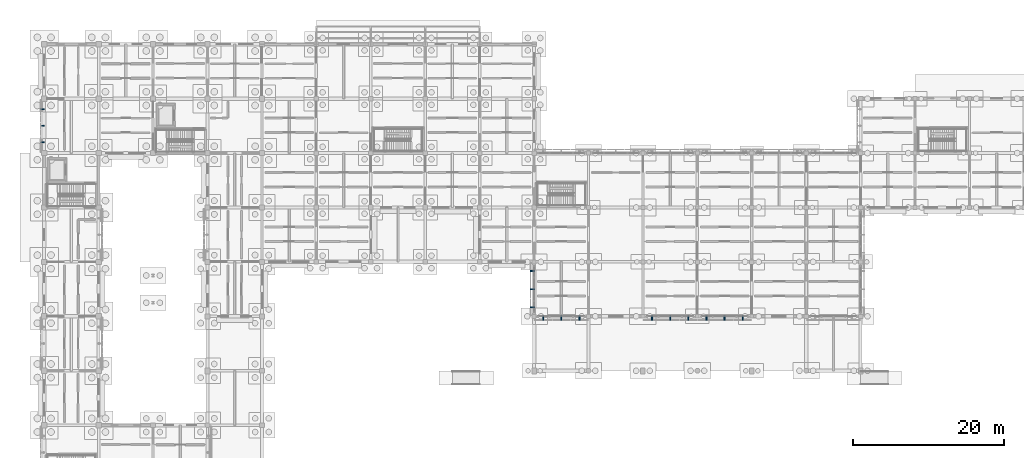
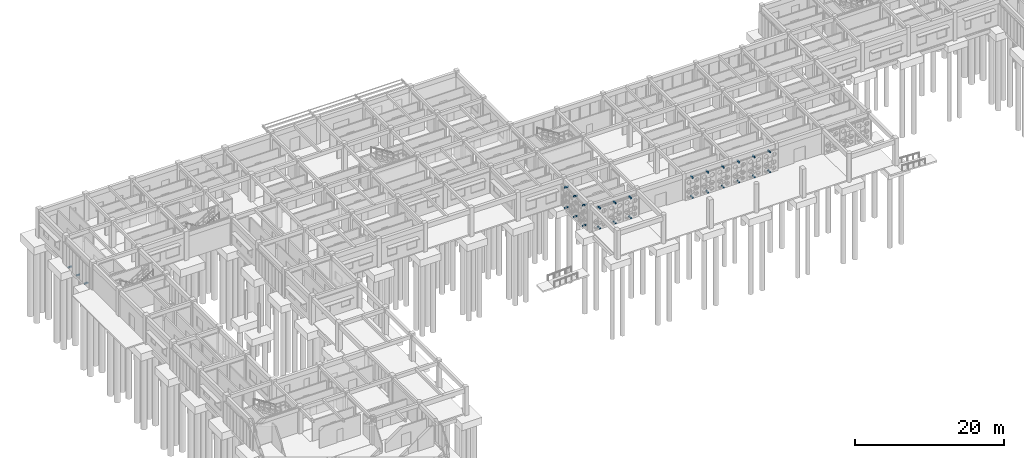
# One storey, part 88 of 111: 27 discrete accessories.
"""IFC4 building model written with IfcOpenShell, lengths in metres."""

import ifcopenshell
import ifcopenshell.guid

model = None  # the IFC model being written
_history = None  # IfcOwnerHistory: only IFC2X3 demands one
_inside = {}  # id of a spatial element -> (the spatial element, [elements in it])
_under = {}  # id of a project, library or spatial element -> (it, [spatial elements below it])
_declared = {}  # id of a project -> (the project, [libraries it declares])
_typed = {}  # id of a type object -> (the type object, [elements of that type])
_made_of = {}  # id of a material, layer set ... -> (it, [elements and type objects made of it])


def new_model(schema):
    """Start an empty IFC model of exactly this schema.

    Asked for "IFC4X3", IfcOpenShell would pick the latest addendum, in which some entities
    have other attributes; the version numbers below select the first issue.
    IFC2X3 requires an IfcOwnerHistory on every rooted entity: one is made here for all.
    """
    global model, _history
    if schema == "IFC4X3":
        model = ifcopenshell.file(schema_version=(4, 3, 0, 0))
    else:
        model = ifcopenshell.file(schema=schema)
    _inside.clear()
    _under.clear()
    _declared.clear()
    _typed.clear()
    _made_of.clear()
    _history = None
    if model.schema == "IFC2X3":
        org = make("IfcOrganization", Name="unknown")
        user = make(
            "IfcPersonAndOrganization",
            ThePerson=make("IfcPerson", FamilyName="unknown"),
            TheOrganization=org,
        )
        app = make(
            "IfcApplication",
            ApplicationDeveloper=org,
            Version="unknown",
            ApplicationFullName="unknown",
            ApplicationIdentifier="unknown",
        )
        _history = make(
            "IfcOwnerHistory",
            OwningUser=user,
            OwningApplication=app,
            ChangeAction="ADDED",
            CreationDate=0,
        )
    return model


def make(cls, **values):
    """One entity of the class cls with the attributes given. An attribute that is None is left unset."""
    return model.create_entity(
        cls, **{name: value for name, value in values.items() if value is not None}
    )


def rooted(cls, **values):
    """An entity with a GlobalId (a new one), such as an element, a storey or a relation."""
    return make(cls, GlobalId=ifcopenshell.guid.new(), OwnerHistory=_history, **values)


def si_unit(unit_type, name, prefix=None):
    """IfcSIUnit, for example si_unit("LENGTHUNIT", "METRE", prefix="MILLI")."""
    return make("IfcSIUnit", UnitType=unit_type, Prefix=prefix, Name=name)


def assignment(units):
    """IfcUnitAssignment: the units of a project."""
    return None if units is None else make("IfcUnitAssignment", Units=units)


def point(xyz):
    """IfcCartesianPoint."""
    return None if xyz is None else make("IfcCartesianPoint", Coordinates=xyz)


def direction(xyz):
    """IfcDirection."""
    return None if xyz is None else make("IfcDirection", DirectionRatios=xyz)


def frame(location, z_axis=None, x_axis=None):
    """IfcAxis2Placement3D, a coordinate frame: its origin and axes. An axis left out is left unset."""
    return make(
        "IfcAxis2Placement3D",
        Location=point(location),
        Axis=direction(z_axis),
        RefDirection=direction(x_axis),
    )


def frame_2d(location, x_axis=None):
    """IfcAxis2Placement2D, a coordinate frame in the plane: its origin and x axis."""
    return make(
        "IfcAxis2Placement2D", Location=point(location), RefDirection=direction(x_axis)
    )


def origin():
    """The frame at (0, 0, 0) with its axes left unset."""
    return frame((0.0, 0.0, 0.0))


def origin_2d():
    """The frame at (0, 0) in the plane with its x axis left unset."""
    return frame_2d((0.0, 0.0))


def place(relative_to, where):
    """IfcLocalPlacement: puts the frame where relative to a parent placement (None: the world)."""
    return make(
        "IfcLocalPlacement", PlacementRelTo=relative_to, RelativePlacement=where
    )


def context(
    kind, dimensions, precision=None, world=None, true_north=None, identifier=None
):
    """IfcGeometricRepresentationContext, for example the 3D "Model" context."""
    return make(
        "IfcGeometricRepresentationContext",
        ContextIdentifier=identifier,
        ContextType=kind,
        CoordinateSpaceDimension=dimensions,
        Precision=precision,
        WorldCoordinateSystem=world,
        TrueNorth=true_north,
    )


def subcontext(parent, identifier, kind, view, scale=None):
    """IfcGeometricRepresentationSubContext, for example "Body" below "Model"."""
    return make(
        "IfcGeometricRepresentationSubContext",
        ContextIdentifier=identifier,
        ContextType=kind,
        ParentContext=parent,
        TargetScale=scale,
        TargetView=view,
    )


def project(units=None, contexts=None):
    """IfcProject with its units and contexts."""
    return rooted(
        "IfcProject",
        Name="project",
        RepresentationContexts=contexts,
        UnitsInContext=assignment(units),
    )


def spatial(cls, under=None, at=None, **own):
    """A site, building, storey or space (cls), placed at a placement, below another one or the project."""
    s = rooted(cls, ObjectPlacement=at, **own)
    if under is not None:
        _under.setdefault(under.id(), (under, []))[1].append(s)
    return s


def profile(cls, at=None, kind="AREA", **sizes):
    """A parametric profile (cls). Its sizes go by their IFC names, for example OverallWidth=200.0."""
    return make(cls, ProfileType=kind, Position=at, **sizes)


def rectangle(**sizes):
    """IfcRectangleProfileDef."""
    return profile("IfcRectangleProfileDef", **sizes)


def extrude(swept, where, along, depth):
    """IfcExtrudedAreaSolid: the profile swept, set in the frame where, extruded along a direction by depth."""
    return make(
        "IfcExtrudedAreaSolid",
        SweptArea=swept,
        Position=where,
        ExtrudedDirection=direction(along),
        Depth=depth,
    )


def shape(context_of_items, identifier, shape_type, items):
    """IfcShapeRepresentation: the items that make up one representation, for example the "Body"."""
    return make(
        "IfcShapeRepresentation",
        ContextOfItems=context_of_items,
        RepresentationIdentifier=identifier,
        RepresentationType=shape_type,
        Items=items,
    )


def material(Name=None, Category=None):
    """IfcMaterial."""
    return make("IfcMaterial", Name=Name, Category=Category)


def made_of(thing, what):
    """Note that an element or type object is made of a material, layer set ...; save() writes the relation."""
    if what is not None:
        _made_of.setdefault(what.id(), (what, []))[1].append(thing)
    return thing


def type_object(cls, material=None, **own):
    """A type object (cls), such as IfcWallType, which elements share."""
    return made_of(rooted(cls, **own), material)


def element(
    cls,
    number,
    at=None,
    inside=None,
    cuts=None,
    type_object=None,
    material=None,
    context=None,
    identifier="Body",
    shape_type=None,
    held_by="IfcProductDefinitionShape",
    body=None,
    shapes=None,
    **own,
):
    """One element of the class cls, such as IfcWall. Its Tag is "e" and its number.

    at: its placement. inside: the storey or other place that contains it. cuts: it is an
    opening in that element (IfcRelVoidsElement). A single representation is given by context,
    identifier, shape_type and body (its items); several are given by shapes. held_by: the class
    of the entity that holds the representations. save() writes the other relations.
    """
    e = rooted(cls, Tag="e%d" % number, ObjectPlacement=at, **own)
    if body is not None:
        shapes = [shape(context, identifier, shape_type, body)]
    if shapes is not None:
        e.Representation = make(held_by, Representations=shapes)
    if inside is not None:
        _inside.setdefault(inside.id(), (inside, []))[1].append(e)
    if cuts is not None:
        rooted(
            "IfcRelVoidsElement", RelatingBuildingElement=cuts, RelatedOpeningElement=e
        )
    if type_object is not None:
        _typed.setdefault(type_object.id(), (type_object, []))[1].append(e)
    return made_of(e, material)


def aggregate(whole, parts):
    """IfcRelAggregates: a whole, such as a stair, and the parts it consists of."""
    return rooted("IfcRelAggregates", RelatingObject=whole, RelatedObjects=parts)


def save(model, path):
    """Write the relations noted so far, then the file.

    IfcRelAggregates (storeys below a building ...), IfcRelContainedInSpatialStructure (elements
    in a storey), IfcRelDefinesByType, IfcRelAssociatesMaterial and IfcRelDeclares: one each for
    every whole, place, type object, material and project.
    """
    for whole, parts in _under.values():
        aggregate(whole, parts)
    for where, things in _inside.values():
        rooted(
            "IfcRelContainedInSpatialStructure",
            RelatedElements=things,
            RelatingStructure=where,
        )
    for kind, things in _typed.values():
        rooted("IfcRelDefinesByType", RelatedObjects=things, RelatingType=kind)
    for what, things in _made_of.values():
        rooted("IfcRelAssociatesMaterial", RelatedObjects=things, RelatingMaterial=what)
    for by, libraries in _declared.values():
        rooted("IfcRelDeclares", RelatingContext=by, RelatedDefinitions=libraries)
    model.write(path)


model = new_model("IFC4")

# Units and contexts
model_context = context("Model", 3, precision=1e-05, world=origin(), true_north=direction((0.0, 1.0)))
body_context = subcontext(model_context, "Body", "Model", "MODEL_VIEW")
ifc_project = project(units=[si_unit("LENGTHUNIT", "METRE"), si_unit("AREAUNIT", "SQUARE_METRE"), si_unit("VOLUMEUNIT", "CUBIC_METRE"), si_unit("PLANEANGLEUNIT", "RADIAN"), si_unit("MASSUNIT", "GRAM", prefix="KILO")], contexts=[model_context])

# Site, building, storey
site_placement = place(None, origin())
site = spatial("IfcSite", under=ifc_project, at=site_placement, CompositionType="ELEMENT")
building_placement = place(site_placement, origin())
building = spatial("IfcBuilding", under=site, at=building_placement, Name="Aldebral Square Health Centre", CompositionType="ELEMENT")
storey_placement = place(building_placement, origin())
storey = spatial("IfcBuildingStorey", under=building, at=storey_placement, Name="L00", CompositionType="ELEMENT", Elevation=0.0)

# Discrete accessories
ifc_material = material(Name="Steel S355JR", Category="steel")
discrete_accessory_type_1 = type_object("IfcDiscreteAccessoryType", Name="ACC-BRK-1", PredefinedType="BRACKET", material=ifc_material)
for number, where, z_axis, x_axis, name in (
    (1, (-0.22998046875, 106.583984375, -0.009765625), (0.0, 0.0, 1.0), (0.0, 1.0, 0.0), "L00 finned curtain-wall bracket L00-V4-00-14-W.1"),
    (2, (-0.22998046875, 104.39990234375, -0.009765625), (0.0, 0.0, 1.0), (0.0, 1.0, 0.0), "L00 finned curtain-wall bracket L00-V4-00-14-W.2"),
    (3, (-0.22998046875, 102.216064453125, -0.009765625), (0.0, 0.0, 1.0), (0.0, 1.0, 0.0), "L00 finned curtain-wall bracket L00-V4-00-14-W.3"),
):
    element("IfcDiscreteAccessory", number, at=place(storey_placement, frame(where, z_axis=z_axis, x_axis=x_axis)), inside=storey, type_object=discrete_accessory_type_1, Name=name, PredefinedType="BRACKET", context=body_context, shape_type="SweptSolid", body=[
        extrude(rectangle(XDim=0.159912109375, YDim=0.52001953125, at=origin_2d()), origin(), (0.0, 0.0, 1.0), 0.139892578125),
    ])
discrete_accessory_type_2 = type_object("IfcDiscreteAccessoryType", Name="ACC-BRK-2", PredefinedType="BRACKET", material=ifc_material)
for number, where, z_axis, x_axis, name in (
    (4, (66.0, 78.969970703125, 0.0), (0.0, 0.0, 1.0), (1.0, 0.0, 0.0), "L00 screen support bracket L00-V1-09-11-S.1 base"),
    (5, (66.0, 78.969970703125, 3.2900390625), (0.0, 0.0, 1.0), (1.0, 0.0, 0.0), "L00 screen support bracket L00-V1-09-11-S.1 head"),
    (6, (68.39990234375, 78.969970703125, 0.0), (0.0, 0.0, 1.0), (1.0, 0.0, 0.0), "L00 screen support bracket L00-V1-09-11-S.2 base"),
    (7, (68.39990234375, 78.969970703125, 3.2900390625), (0.0, 0.0, 1.0), (1.0, 0.0, 0.0), "L00 screen support bracket L00-V1-09-11-S.2 head"),
    (8, (70.800048828125, 78.969970703125, 0.0), (0.0, 0.0, 1.0), (1.0, 0.0, 0.0), "L00 screen support bracket L00-V1-09-11-S.3 base"),
    (9, (70.800048828125, 78.969970703125, 3.2900390625), (0.0, 0.0, 1.0), (1.0, 0.0, 0.0), "L00 screen support bracket L00-V1-09-11-S.3 head"),
    (10, (64.570068359375, 85.199951171875, 0.0), (0.0, 0.0, 1.0), (0.0, 1.0, 0.0), "L00 screen support bracket L00-V1-09-11-W.1 base"),
    (11, (64.570068359375, 85.199951171875, 3.33984375), (0.0, 0.0, 1.0), (0.0, 1.0, 0.0), "L00 screen support bracket L00-V1-09-11-W.1 head"),
    (12, (64.570068359375, 82.800048828125, 0.0), (0.0, 0.0, 1.0), (0.0, 1.0, 0.0), "L00 screen support bracket L00-V1-09-11-W.2 base"),
    (13, (64.570068359375, 82.800048828125, 3.33984375), (0.0, 0.0, 1.0), (0.0, 1.0, 0.0), "L00 screen support bracket L00-V1-09-11-W.2 head"),
    (14, (64.570068359375, 80.39990234375, 0.0), (0.0, 0.0, 1.0), (0.0, 1.0, 0.0), "L00 screen support bracket L00-V1-09-11-W.3 base"),
    (15, (64.570068359375, 80.39990234375, 3.33984375), (0.0, 0.0, 1.0), (0.0, 1.0, 0.0), "L00 screen support bracket L00-V1-09-11-W.3 head"),
    (16, (80.39990234375, 78.969970703125, 0.0), (0.0, 0.0, 1.0), (1.0, 0.0, 0.0), "L00 screen support bracket L00-V1-11-11-S.1 base"),
    (17, (80.39990234375, 78.969970703125, 3.2900390625), (0.0, 0.0, 1.0), (1.0, 0.0, 0.0), "L00 screen support bracket L00-V1-11-11-S.1 head"),
    (18, (82.800048828125, 78.969970703125, 0.0), (0.0, 0.0, 1.0), (1.0, 0.0, 0.0), "L00 screen support bracket L00-V1-11-11-S.2 base"),
    (19, (82.800048828125, 78.969970703125, 3.2900390625), (0.0, 0.0, 1.0), (1.0, 0.0, 0.0), "L00 screen support bracket L00-V1-11-11-S.2 head"),
    (20, (85.199951171875, 78.969970703125, 0.0), (0.0, 0.0, 1.0), (1.0, 0.0, 0.0), "L00 screen support bracket L00-V1-11-11-S.3 base"),
    (21, (85.199951171875, 78.969970703125, 3.2900390625), (0.0, 0.0, 1.0), (1.0, 0.0, 0.0), "L00 screen support bracket L00-V1-11-11-S.3 head"),
    (22, (87.60009765625, 78.969970703125, 0.0), (0.0, 0.0, 1.0), (1.0, 0.0, 0.0), "L00 screen support bracket L00-V1-12-11-S.1 base"),
    (23, (87.60009765625, 78.969970703125, 3.2900390625), (0.0, 0.0, 1.0), (1.0, 0.0, 0.0), "L00 screen support bracket L00-V1-12-11-S.1 head"),
    (24, (90.0, 78.969970703125, 0.0), (0.0, 0.0, 1.0), (1.0, 0.0, 0.0), "L00 screen support bracket L00-V1-12-11-S.2 base"),
    (25, (90.0, 78.969970703125, 3.2900390625), (0.0, 0.0, 1.0), (1.0, 0.0, 0.0), "L00 screen support bracket L00-V1-12-11-S.2 head"),
    (26, (92.39990234375, 78.969970703125, 0.0), (0.0, 0.0, 1.0), (1.0, 0.0, 0.0), "L00 screen support bracket L00-V1-12-11-S.3 base"),
    (27, (92.39990234375, 78.969970703125, 3.2900390625), (0.0, 0.0, 1.0), (1.0, 0.0, 0.0), "L00 screen support bracket L00-V1-12-11-S.3 head"),
):
    element("IfcDiscreteAccessory", number, at=place(storey_placement, frame(where, z_axis=z_axis, x_axis=x_axis)), inside=storey, type_object=discrete_accessory_type_2, Name=name, PredefinedType="BRACKET", context=body_context, shape_type="SweptSolid", body=[
        extrude(rectangle(XDim=0.159912109375, YDim=0.60009765625, at=origin_2d()), origin(), (0.0, 0.0, 1.0), 0.179931640625),
    ])

save(model, "model.ifc")
